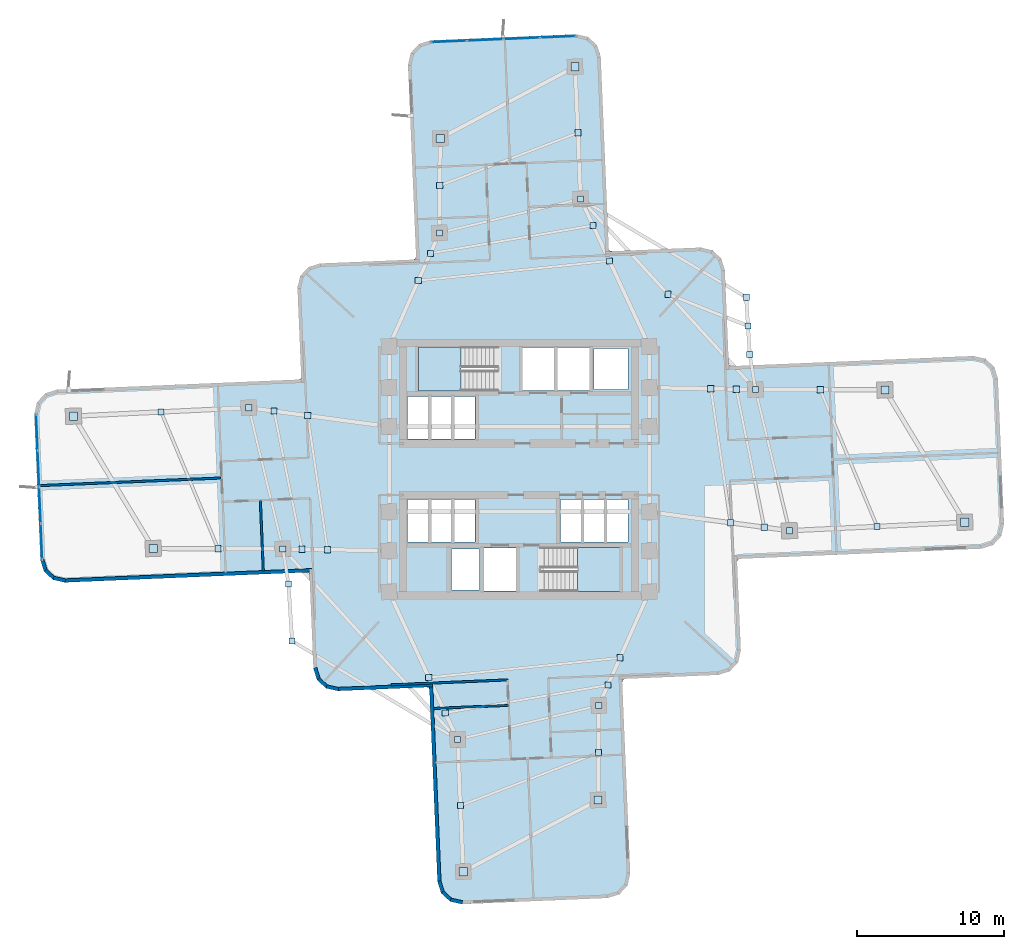
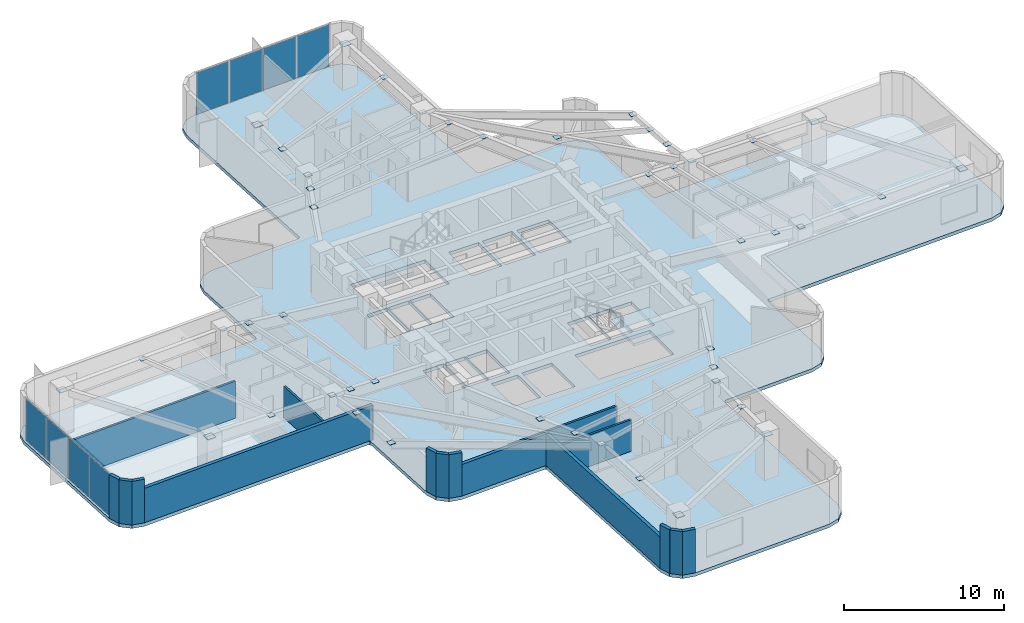
# One storey, part 7 of 15: 54 plates, 16 walls, 3 slabs, 4 elements without a shape of their own.
"""IFC4 building model written with IfcOpenShell, lengths in metres."""

from ifc_helpers import new_model, si_unit, direction, frame, frame_2d, origin, origin_2d, place, context, subcontext, project, spatial, polyline, rectangle, outline, extrude, material, layer, layer_set, type_object, element, aggregate, save


model = new_model("IFC4")

# Units and contexts
model_context = context("Model", 3, precision=1e-05, world=origin(), true_north=direction((0.0, 1.0)))
body_context = subcontext(model_context, "Body", "Model", "MODEL_VIEW")
ifc_project = project(units=[si_unit("LENGTHUNIT", "METRE"), si_unit("AREAUNIT", "SQUARE_METRE"), si_unit("VOLUMEUNIT", "CUBIC_METRE"), si_unit("PLANEANGLEUNIT", "RADIAN"), si_unit("MASSUNIT", "GRAM", prefix="KILO")], contexts=[model_context])

# Site, building, storey
site_placement = place(None, origin())
site = spatial("IfcSite", under=ifc_project, at=site_placement, CompositionType="ELEMENT")
building_placement = place(site_placement, origin())
building = spatial("IfcBuilding", under=site, at=building_placement, Name="Solmarez Civic Tower", CompositionType="ELEMENT")
storey_placement = place(building_placement, frame((0.0, 0.0, 46.080078125)))
storey = spatial("IfcBuildingStorey", under=building, at=storey_placement, Name="L11", CompositionType="ELEMENT", Elevation=46.080078125)

# Curtain wall, plates
ifc_material_1 = material(Name="Bronze Anodised Aluminium EN AW-6063 T6", Category="aluminium")
ifc_layer_1 = layer(ifc_material_1, 0.18505859375)
ifc_layer_set_1 = layer_set([ifc_layer_1], Name="Bronze Anodised Aluminium EN AW-6063 T6")
curtain_wall_type = type_object("IfcCurtainWallType", Name="CW-SYS-2", PredefinedType="NOTDEFINED", material=ifc_layer_set_1)
curtain_wall_1_placement = place(storey_placement, origin())
curtain_wall_1 = element("IfcCurtainWall", 1, at=curtain_wall_1_placement, inside=storey, type_object=curtain_wall_type, Name="L11 Stick-Built Curtain Wall 1", PredefinedType="NOTDEFINED")
ifc_material_2 = material(Name="Solar Control Low-E Laminated Vision Glass", Category="glass")
ifc_layer_2 = layer(ifc_material_2, 0.031982421875)
ifc_layer_set_2 = layer_set([ifc_layer_2], Name="Solar Control Low-E Laminated Vision Glass")
plate_type_1 = type_object("IfcPlateType", Name="CWP-GLAZ-32", PredefinedType="CURTAIN_PANEL", material=ifc_layer_set_2)
plate_1_placement = place(storey_placement, frame((-32.502685546875, -4.915283203125, 0.06494140625), z_axis=(0.0, 0.0, 1.0), x_axis=(-0.041856538832, 0.999123631067, 0.0)))
plate_1 = element("IfcPlate", 2, at=plate_1_placement, type_object=plate_type_1, Name="CWS2 panel 1.1", PredefinedType="CURTAIN_PANEL", context=body_context, shape_type="SweptSolid", body=[
    extrude(rectangle(XDim=2.379638671875, YDim=0.031982421875, at=origin_2d()), origin(), (0.0, 0.0, 1.0), 3.18994140625),
])
plate_2_placement = place(storey_placement, frame((-32.60595703125, -2.4501953125, 0.06494140625), z_axis=(0.0, 0.0, 1.0), x_axis=(-0.041856538832, 0.999123631067, 0.0)))
plate_2 = element("IfcPlate", 3, at=plate_2_placement, type_object=plate_type_1, Name="CWS2 panel 2.1", PredefinedType="CURTAIN_PANEL", context=body_context, shape_type="SweptSolid", body=[
    extrude(rectangle(XDim=2.414794921875, YDim=0.031982421875, at=origin_2d()), origin(), (0.0, 0.0, 1.0), 3.18994140625),
])
plate_3_placement = place(storey_placement, frame((-32.7099609375, 0.0322265625, 0.06494140625), z_axis=(0.0, 0.0, 1.0), x_axis=(-0.041856538832, 0.999123631067, 0.0)))
plate_3 = element("IfcPlate", 4, at=plate_3_placement, type_object=plate_type_1, Name="CWS2 panel 3.1", PredefinedType="CURTAIN_PANEL", context=body_context, shape_type="SweptSolid", body=[
    extrude(rectangle(XDim=2.414794921875, YDim=0.031982421875, at=origin_2d()), origin(), (0.0, 0.0, 1.0), 3.18994140625),
])
plate_4_placement = place(storey_placement, frame((-32.813232421875, 2.497314453125, 0.06494140625), z_axis=(0.0, 0.0, 1.0), x_axis=(-0.041856538832, 0.999123631067, 0.0)))
plate_4 = element("IfcPlate", 5, at=plate_4_placement, type_object=plate_type_1, Name="CWS2 panel 4.1", PredefinedType="CURTAIN_PANEL", context=body_context, shape_type="SweptSolid", body=[
    extrude(rectangle(XDim=2.379638671875, YDim=0.031982421875, at=origin_2d()), origin(), (0.0, 0.0, 1.0), 3.18994140625),
])
aggregate(curtain_wall_1, [plate_1, plate_2, plate_3, plate_4])

curtain_wall_2_placement = place(storey_placement, origin())
curtain_wall_2 = element("IfcCurtainWall", 6, at=curtain_wall_2_placement, inside=storey, type_object=curtain_wall_type, Name="L11 Stick-Built Curtain Wall 2", PredefinedType="NOTDEFINED")
plate_5_placement = place(storey_placement, frame((-4.772216796875, 29.105712890625, 0.06494140625), z_axis=(0.0, 0.0, 1.0), x_axis=(0.999123631067, 0.041856538832, 0.0)))
plate_5 = element("IfcPlate", 7, at=plate_5_placement, type_object=plate_type_1, Name="CWS2 panel 1.1", PredefinedType="CURTAIN_PANEL", context=body_context, shape_type="SweptSolid", body=[
    extrude(rectangle(XDim=2.379638671875, YDim=0.031982421875, at=origin_2d()), origin(), (0.0, 0.0, 1.0), 3.18994140625),
])
plate_6_placement = place(storey_placement, frame((-2.30712890625, 29.208984375, 0.06494140625), z_axis=(0.0, 0.0, 1.0), x_axis=(0.999123631067, 0.041856538832, 0.0)))
plate_6 = element("IfcPlate", 8, at=plate_6_placement, type_object=plate_type_1, Name="CWS2 panel 2.1", PredefinedType="CURTAIN_PANEL", context=body_context, shape_type="SweptSolid", body=[
    extrude(rectangle(XDim=2.414794921875, YDim=0.031982421875, at=origin_2d()), origin(), (0.0, 0.0, 1.0), 3.18994140625),
])
plate_7_placement = place(storey_placement, frame((0.17529296875, 29.31298828125, 0.06494140625), z_axis=(0.0, 0.0, 1.0), x_axis=(0.999123631067, 0.041856538832, 0.0)))
plate_7 = element("IfcPlate", 9, at=plate_7_placement, type_object=plate_type_1, Name="CWS2 panel 3.1", PredefinedType="CURTAIN_PANEL", context=body_context, shape_type="SweptSolid", body=[
    extrude(rectangle(XDim=2.414794921875, YDim=0.031982421875, at=origin_2d()), origin(), (0.0, 0.0, 1.0), 3.18994140625),
])
plate_8_placement = place(storey_placement, frame((2.640380859375, 29.416259765625, 0.06494140625), z_axis=(0.0, 0.0, 1.0), x_axis=(0.999123631067, 0.041856538832, 0.0)))
plate_8 = element("IfcPlate", 10, at=plate_8_placement, type_object=plate_type_1, Name="CWS2 panel 4.1", PredefinedType="CURTAIN_PANEL", context=body_context, shape_type="SweptSolid", body=[
    extrude(rectangle(XDim=2.379638671875, YDim=0.031982421875, at=origin_2d()), origin(), (0.0, 0.0, 1.0), 3.18994140625),
])
aggregate(curtain_wall_2, [plate_5, plate_6, plate_7, plate_8])

# Plates
ifc_material_3 = material(Name="Steel S355", Category="steel")
ifc_layer_3 = layer(ifc_material_3, 0.02392578125)
ifc_layer_set_3 = layer_set([ifc_layer_3], Name="Steel S355")
plate_type_2 = type_object("IfcPlateType", Name="PLT-CAP-380", PredefinedType="USERDEFINED", material=ifc_layer_set_3)
for number, where, z_axis, x_axis, name in (
    (11, (18.39111328125, -4.18408203125, 3.157958984375), (0.0, 0.0, 1.0), (1.0, 0.0, 0.0), "Steel Member End Cap Plate CAP-BM-L11-EA-T1-0"),
    (12, (16.075927734375, 5.4208984375, 3.157958984375), (0.0, 0.0, 1.0), (1.0, 0.0, 0.0), "Steel Member End Cap Plate CAP-BM-L11-EA-T1-1"),
    (13, (24.35498046875, -3.89697265625, 3.157958984375), (0.0, 0.0, 1.0), (1.0, 0.0, 0.0), "Steel Member End Cap Plate CAP-JS-L11-EA-M2-0"),
    (14, (20.48193359375, 5.406982421875, 3.157958984375), (0.0, 0.0, 1.0), (1.0, 0.0, 0.0), "Steel Member End Cap Plate CAP-JS-L11-EA-M2-1"),
    (15, (14.384033203125, -3.64501953125, 3.157958984375), (0.0, 0.0, 1.0), (1.0, 0.0, 0.0), "Steel Member End Cap Plate CAP-JS-L11-EA-M11-0"),
    (16, (13.041015625, 5.47509765625, 3.157958984375), (0.0, 0.0, 1.0), (1.0, 0.0, 0.0), "Steel Member End Cap Plate CAP-JS-L11-EA-M11-1"),
    (17, (16.674072265625, -3.952880859375, 3.157958984375), (0.0, 0.0, 1.0), (1.0, 0.0, 0.0), "Steel Member End Cap Plate CAP-JS-L11-EA-M12-0"),
    (18, (14.77490234375, 5.444091796875, 3.157958984375), (0.0, 0.0, 1.0), (1.0, 0.0, 0.0), "Steel Member End Cap Plate CAP-JS-L11-EA-M12-1"),
    (19, (4.18408203125, 18.39111328125, 3.157958984375), (0.0, 0.0, 1.0), (1.0, 0.0, 0.0), "Steel Member End Cap Plate CAP-BM-L11-NA-T1-0"),
    (20, (-5.4208984375, 16.075927734375, 3.157958984375), (0.0, 0.0, 1.0), (1.0, 0.0, 0.0), "Steel Member End Cap Plate CAP-BM-L11-NA-T1-1"),
    (21, (3.9951171875, 22.886962890625, 3.157958984375), (0.0, 0.0, 1.0), (1.0, 0.0, 0.0), "Steel Member End Cap Plate CAP-JS-L11-NA-M2-0"),
    (22, (-5.39599609375, 19.291015625, 3.157958984375), (0.0, 0.0, 1.0), (1.0, 0.0, 0.0), "Steel Member End Cap Plate CAP-JS-L11-NA-M2-1"),
    (23, (6.14404296875, 14.174072265625, 3.157958984375), (0.0, 0.0, 1.0), (1.0, 0.0, 0.0), "Steel Member End Cap Plate CAP-JS-L11-NA-M11-0"),
    (24, (-6.861083984375, 12.8310546875, 3.157958984375), (0.0, 0.0, 1.0), (1.0, 0.0, 0.0), "Steel Member End Cap Plate CAP-JS-L11-NA-M11-1"),
    (25, (5.02392578125, 16.583984375, 3.157958984375), (0.0, 0.0, 1.0), (1.0, 0.0, 0.0), "Steel Member End Cap Plate CAP-JS-L11-NA-M12-0"),
    (26, (-6.0380859375, 14.68505859375, 3.157958984375), (0.0, 0.0, 1.0), (1.0, 0.0, 0.0), "Steel Member End Cap Plate CAP-JS-L11-NA-M12-1"),
    (27, (-18.39111328125, 4.18408203125, 3.157958984375), (0.0, 0.0, 1.0), (1.0, 0.0, 0.0), "Steel Member End Cap Plate CAP-BM-L11-WA-T1-0"),
    (28, (-16.075927734375, -5.4208984375, 3.157958984375), (0.0, 0.0, 1.0), (1.0, 0.0, 0.0), "Steel Member End Cap Plate CAP-BM-L11-WA-T1-1"),
    (29, (-24.35498046875, 3.89697265625, 3.157958984375), (0.0, 0.0, 1.0), (1.0, 0.0, 0.0), "Steel Member End Cap Plate CAP-JS-L11-WA-M2-0"),
    (30, (-20.48193359375, -5.406982421875, 3.157958984375), (0.0, 0.0, 1.0), (1.0, 0.0, 0.0), "Steel Member End Cap Plate CAP-JS-L11-WA-M2-1"),
    (31, (-14.384033203125, 3.64501953125, 3.157958984375), (0.0, 0.0, 1.0), (1.0, 0.0, 0.0), "Steel Member End Cap Plate CAP-JS-L11-WA-M11-0"),
    (32, (-13.041015625, -5.47509765625, 3.157958984375), (0.0, 0.0, 1.0), (1.0, 0.0, 0.0), "Steel Member End Cap Plate CAP-JS-L11-WA-M11-1"),
    (33, (-16.674072265625, 3.952880859375, 3.157958984375), (0.0, 0.0, 1.0), (1.0, 0.0, 0.0), "Steel Member End Cap Plate CAP-JS-L11-WA-M12-0"),
    (34, (-14.77490234375, -5.444091796875, 3.157958984375), (0.0, 0.0, 1.0), (1.0, 0.0, 0.0), "Steel Member End Cap Plate CAP-JS-L11-WA-M12-1"),
    (35, (-4.18408203125, -18.39111328125, 3.157958984375), (0.0, 0.0, 1.0), (1.0, 0.0, 0.0), "Steel Member End Cap Plate CAP-BM-L11-SA-T1-0"),
    (36, (5.4208984375, -16.075927734375, 3.157958984375), (0.0, 0.0, 1.0), (1.0, 0.0, 0.0), "Steel Member End Cap Plate CAP-BM-L11-SA-T1-1"),
    (37, (-3.9951171875, -22.886962890625, 3.157958984375), (0.0, 0.0, 1.0), (1.0, 0.0, 0.0), "Steel Member End Cap Plate CAP-JS-L11-SA-M2-0"),
    (38, (5.39599609375, -19.291015625, 3.157958984375), (0.0, 0.0, 1.0), (1.0, 0.0, 0.0), "Steel Member End Cap Plate CAP-JS-L11-SA-M2-1"),
    (39, (-6.14404296875, -14.174072265625, 3.157958984375), (0.0, 0.0, 1.0), (1.0, 0.0, 0.0), "Steel Member End Cap Plate CAP-JS-L11-SA-M11-0"),
    (40, (6.861083984375, -12.8310546875, 3.157958984375), (0.0, 0.0, 1.0), (1.0, 0.0, 0.0), "Steel Member End Cap Plate CAP-JS-L11-SA-M11-1"),
    (41, (-5.02392578125, -16.583984375, 3.157958984375), (0.0, 0.0, 1.0), (1.0, 0.0, 0.0), "Steel Member End Cap Plate CAP-JS-L11-SA-M12-0"),
    (42, (6.0380859375, -14.68505859375, 3.157958984375), (0.0, 0.0, 1.0), (1.0, 0.0, 0.0), "Steel Member End Cap Plate CAP-JS-L11-SA-M12-1"),
    (43, (15.69091796875, 7.801025390625, 3.10791015625), (0.0, 0.0, 1.0), (1.0, 0.0, 0.0), "Steel Member End Cap Plate CAP-BM-L11-BALC-NEE-0"),
    (44, (15.446044921875, 11.693115234375, 3.10791015625), (0.0, 0.0, 1.0), (1.0, 0.0, 0.0), "Steel Member End Cap Plate CAP-BM-L11-BALC-NEE-1"),
    (45, (10.1298828125, 11.906005859375, 3.10791015625), (0.0, 0.0, 1.0), (1.0, 0.0, 0.0), "Steel Member End Cap Plate CAP-BM-L11-BALC-NEM-0"),
    (46, (15.569091796875, 9.7470703125, 3.10791015625), (0.0, 0.0, 1.0), (1.0, 0.0, 0.0), "Steel Member End Cap Plate CAP-BM-L11-BALC-NEM-1"),
    (47, (-15.69091796875, -7.801025390625, 3.10791015625), (0.0, 0.0, 1.0), (1.0, 0.0, 0.0), "Steel Member End Cap Plate CAP-BM-L11-BALC-SWE-0"),
    (48, (-15.446044921875, -11.693115234375, 3.10791015625), (0.0, 0.0, 1.0), (1.0, 0.0, 0.0), "Steel Member End Cap Plate CAP-BM-L11-BALC-SWE-1"),
):
    element("IfcPlate", number, at=place(storey_placement, frame(where, z_axis=z_axis, x_axis=x_axis)), inside=storey, type_object=plate_type_2, Name=name, ObjectType="CAP_PLATE", PredefinedType="USERDEFINED", context=body_context, shape_type="SweptSolid", body=[
        extrude(rectangle(XDim=0.419921875, YDim=0.419921875, at=origin_2d()), origin(), (0.0, 0.0, 1.0), 0.02392578125),
    ])
ifc_layer_4 = layer(ifc_material_3, 0.028076171875)
ifc_layer_set_4 = layer_set([ifc_layer_4], Name="Steel S355")
plate_type_3 = type_object("IfcPlateType", Name="PLT-CAP-540", PredefinedType="USERDEFINED", material=ifc_layer_set_4)
for number, where, z_axis, x_axis, name in (
    (49, (30.318115234375, -3.60888671875, 3.0556640625), (0.0, 0.0, 1.0), (1.0, 0.0, 0.0), "Steel Member End Cap Plate CAP-BM-L11-EA-T2-0"),
    (50, (24.887939453125, 5.39306640625, 3.0556640625), (0.0, 0.0, 1.0), (1.0, 0.0, 0.0), "Steel Member End Cap Plate CAP-BM-L11-EA-T2-1"),
    (51, (3.806884765625, 27.383056640625, 3.0556640625), (0.0, 0.0, 1.0), (1.0, 0.0, 0.0), "Steel Member End Cap Plate CAP-BM-L11-NA-T2-0"),
    (52, (-5.3720703125, 22.507080078125, 3.0556640625), (0.0, 0.0, 1.0), (1.0, 0.0, 0.0), "Steel Member End Cap Plate CAP-BM-L11-NA-T2-1"),
    (53, (-30.318115234375, 3.60888671875, 3.0556640625), (0.0, 0.0, 1.0), (1.0, 0.0, 0.0), "Steel Member End Cap Plate CAP-BM-L11-WA-T2-0"),
    (54, (-24.887939453125, -5.39306640625, 3.0556640625), (0.0, 0.0, 1.0), (1.0, 0.0, 0.0), "Steel Member End Cap Plate CAP-BM-L11-WA-T2-1"),
    (55, (-3.806884765625, -27.383056640625, 3.0556640625), (0.0, 0.0, 1.0), (1.0, 0.0, 0.0), "Steel Member End Cap Plate CAP-BM-L11-SA-T2-0"),
    (56, (5.3720703125, -22.507080078125, 3.0556640625), (0.0, 0.0, 1.0), (1.0, 0.0, 0.0), "Steel Member End Cap Plate CAP-BM-L11-SA-T2-1"),
):
    element("IfcPlate", number, at=place(storey_placement, frame(where, z_axis=z_axis, x_axis=x_axis)), inside=storey, type_object=plate_type_3, Name=name, ObjectType="CAP_PLATE", PredefinedType="USERDEFINED", context=body_context, shape_type="SweptSolid", body=[
        extrude(rectangle(XDim=0.56005859375, YDim=0.56005859375, at=origin_2d()), origin(), (0.0, 0.0, 1.0), 0.028076171875),
    ])

# Stair, slab
ifc_material_4 = material(Name="Concrete C50/60", Category="concrete")
stair_type = type_object("IfcStairType", Name="STAIR-DOGLEG-140W-20R-1800", PredefinedType="HALF_TURN_STAIR", material=ifc_material_4)
stair_1_placement = place(storey_placement, origin())
stair_1 = element("IfcStair", 57, at=stair_1_placement, inside=storey, type_object=stair_type, Name="L11 North Core Protected Exit Stair ST-1", PredefinedType="HALF_TURN_STAIR")
ifc_layer_5 = layer(ifc_material_4, 0.199951171875)
ifc_layer_set_5 = layer_set([ifc_layer_5], Name="Concrete C50/60")
slab_type_1 = type_object("IfcSlabType", Name="SLAB-LANDING-200", PredefinedType="LANDING", material=ifc_layer_set_5)
slab_1_placement = place(storey_placement, frame((0.0, 0.0, 1.599853515625)))
slab_1 = element("IfcSlab", 58, at=slab_1_placement, type_object=slab_type_1, Name="ST-1 landing 1", PredefinedType="LANDING", context=body_context, shape_type="SweptSolid", body=[
    extrude(outline(polyline([(-3.969970703125, 8.320068359375), (-6.85009765625, 8.320068359375), (-6.85009765625, 5.320068359375), (-3.969970703125, 5.320068359375), (-3.969970703125, 8.320068359375)])), origin(), (0.0, 0.0, 1.0), 0.199951171875),
])
aggregate(stair_1, [slab_1])

stair_2_placement = place(storey_placement, origin())
stair_2 = element("IfcStair", 59, at=stair_2_placement, inside=storey, type_object=stair_type, Name="L11 South Core Protected Exit Stair ST-2", PredefinedType="HALF_TURN_STAIR")
slab_2_placement = place(storey_placement, frame((0.0, 0.0, 1.599853515625)))
slab_2 = element("IfcSlab", 60, at=slab_2_placement, type_object=slab_type_1, Name="ST-2 landing 1", PredefinedType="LANDING", context=body_context, shape_type="SweptSolid", body=[
    extrude(outline(polyline([(3.969970703125, -8.320068359375), (6.85009765625, -8.320068359375), (6.85009765625, -5.320068359375), (3.969970703125, -5.320068359375), (3.969970703125, -8.320068359375)])), origin(), (0.0, 0.0, 1.0), 0.199951171875),
])
aggregate(stair_2, [slab_2])

# Slab
ifc_layer_6 = layer(ifc_material_4, 0.260009765625)
ifc_layer_set_6 = layer_set([ifc_layer_6], Name="Concrete C50/60")
slab_type_2 = type_object("IfcSlabType", Name="SLAB-TOWER-260", PredefinedType="FLOOR", material=ifc_layer_set_6)
slab_3_placement = place(storey_placement, frame((0.0, 0.0, -0.260009765625)))
element("IfcSlab", 61, at=slab_3_placement, inside=storey, type_object=slab_type_2, Name="L11 Structural Slab", PredefinedType="FLOOR", context=body_context, shape_type="SweptSolid", body=[
    extrude(outline(polyline([(-14.260009765625, -7.214111328125), (-13.9951171875, -13.548095703125), (-13.7470703125, -14.337890625), (-13.137939453125, -14.89892578125), (-12.3291015625, -15.080078125), (-6.31494140625, -14.826904296875), (-6.14697265625, -14.864990234375), (-6.095947265625, -15.029052734375), (-5.550048828125, -28.056884765625), (-5.302001953125, -28.846923828125), (-4.693115234375, -29.407958984375), (-3.884033203125, -29.589111328125), (6.027099609375, -29.173095703125), (6.81689453125, -28.926025390625), (7.3779296875, -28.31591796875), (7.55908203125, -27.508056640625), (7.011962890625, -14.47998046875), (7.050048828125, -14.31201171875), (7.214111328125, -14.260009765625), (13.548095703125, -13.9951171875), (14.337890625, -13.7470703125), (14.89892578125, -13.137939453125), (15.080078125, -12.3291015625), (14.826904296875, -6.31494140625), (14.864990234375, -6.14697265625), (15.029052734375, -6.095947265625), (31.4541015625, -5.407958984375), (32.243896484375, -5.159912109375), (32.804931640625, -4.550048828125), (32.986083984375, -3.741943359375), (32.570068359375, 6.1689453125), (32.322998046875, 6.9599609375), (31.712890625, 7.52001953125), (30.905029296875, 7.700927734375), (14.47998046875, 7.011962890625), (14.31201171875, 7.050048828125), (14.260009765625, 7.214111328125), (13.9951171875, 13.548095703125), (13.7470703125, 14.337890625), (13.137939453125, 14.89892578125), (12.3291015625, 15.080078125), (6.31494140625, 14.826904296875), (6.14697265625, 14.864990234375), (6.095947265625, 15.029052734375), (5.550048828125, 28.056884765625), (5.302001953125, 28.846923828125), (4.693115234375, 29.407958984375), (3.884033203125, 29.589111328125), (-6.027099609375, 29.173095703125), (-6.81689453125, 28.926025390625), (-7.3779296875, 28.31591796875), (-7.55908203125, 27.508056640625), (-7.011962890625, 14.47998046875), (-7.050048828125, 14.31201171875), (-7.214111328125, 14.260009765625), (-13.548095703125, 13.9951171875), (-14.337890625, 13.7470703125), (-14.89892578125, 13.137939453125), (-15.080078125, 12.3291015625), (-14.826904296875, 6.31494140625), (-14.864990234375, 6.14697265625), (-15.029052734375, 6.095947265625), (-31.4541015625, 5.407958984375), (-32.243896484375, 5.159912109375), (-32.804931640625, 4.550048828125), (-32.986083984375, 3.741943359375), (-32.570068359375, -6.1689453125), (-32.322998046875, -6.9599609375), (-31.712890625, -7.52001953125), (-30.905029296875, -7.700927734375), (-14.47998046875, -7.011962890625), (-14.31201171875, -7.050048828125), (-14.260009765625, -7.214111328125)]), holes=[polyline([(-1.449951171875, 8.320068359375), (-6.85009765625, 8.320068359375), (-6.85009765625, 5.320068359375), (-1.449951171875, 5.320068359375), (-1.449951171875, 8.320068359375)]), polyline([(1.449951171875, -8.320068359375), (6.85009765625, -8.320068359375), (6.85009765625, -5.320068359375), (1.449951171875, -5.320068359375), (1.449951171875, -8.320068359375)]), polyline([(0.219970703125, 5.360107421875), (2.3798828125, 5.360107421875), (2.3798828125, 8.280029296875), (0.219970703125, 8.280029296875), (0.219970703125, 5.360107421875)]), polyline([(2.6201171875, 5.360107421875), (4.780029296875, 5.360107421875), (4.780029296875, 8.280029296875), (2.6201171875, 8.280029296875), (2.6201171875, 5.360107421875)]), polyline([(-2.3798828125, -8.280029296875), (-0.219970703125, -8.280029296875), (-0.219970703125, -5.360107421875), (-2.3798828125, -5.360107421875), (-2.3798828125, -8.280029296875)]), polyline([(2.800048828125, -4.9599609375), (4.280029296875, -4.9599609375), (4.280029296875, -2.06005859375), (2.800048828125, -2.06005859375), (2.800048828125, -4.9599609375)]), polyline([(4.360107421875, -4.9599609375), (5.840087890625, -4.9599609375), (5.840087890625, -2.06005859375), (4.360107421875, -2.06005859375), (4.360107421875, -4.9599609375)]), polyline([(5.919921875, -4.9599609375), (7.39990234375, -4.9599609375), (7.39990234375, -2.06005859375), (5.919921875, -2.06005859375), (5.919921875, -4.9599609375)]), polyline([(-7.60009765625, -4.9599609375), (-6.1201171875, -4.9599609375), (-6.1201171875, -2.06005859375), (-7.60009765625, -2.06005859375), (-7.60009765625, -4.9599609375)]), polyline([(-6.0400390625, -4.9599609375), (-4.56005859375, -4.9599609375), (-4.56005859375, -2.06005859375), (-6.0400390625, -2.06005859375), (-6.0400390625, -4.9599609375)]), polyline([(-4.47998046875, -4.9599609375), (-3.0, -4.9599609375), (-3.0, -2.06005859375), (-4.47998046875, -2.06005859375), (-4.47998046875, -4.9599609375)]), polyline([(-7.60009765625, 2.06005859375), (-6.1201171875, 2.06005859375), (-6.1201171875, 4.9599609375), (-7.60009765625, 4.9599609375), (-7.60009765625, 2.06005859375)]), polyline([(-6.0400390625, 2.06005859375), (-4.56005859375, 2.06005859375), (-4.56005859375, 4.9599609375), (-6.0400390625, 4.9599609375), (-6.0400390625, 2.06005859375)]), polyline([(-4.47998046875, 2.06005859375), (-3.0, 2.06005859375), (-3.0, 4.9599609375), (-4.47998046875, 4.9599609375), (-4.47998046875, 2.06005859375)]), polyline([(5.10009765625, 5.419921875), (7.39990234375, 5.419921875), (7.39990234375, 8.219970703125), (5.10009765625, 8.219970703125), (5.10009765625, 5.419921875)]), polyline([(-4.60009765625, -8.219970703125), (-2.699951171875, -8.219970703125), (-2.699951171875, -5.419921875), (-4.60009765625, -5.419921875), (-4.60009765625, -8.219970703125)])]), origin(), (0.0, 0.0, 1.0), 0.260009765625),
])

# Walls
ifc_material_5 = material(Name="Precast concrete C40/50", Category="concrete")
ifc_layer_7 = layer(ifc_material_5, 0.239990234375)
ifc_layer_set_7 = layer_set([ifc_layer_7], Name="Precast concrete C40/50")
wall_type_1 = type_object("IfcWallType", Name="WALL-EXT-240", PredefinedType="SOLIDWALL", material=ifc_layer_set_7)
wall_1_placement = place(storey_placement, frame((-14.05810546875, -6.875, 0.0), z_axis=(0.0, 0.0, 1.0), x_axis=(-0.999124376175, -0.04183874918, 0.0)))
element("IfcWall", 62, at=wall_1_placement, inside=storey, type_object=wall_type_1, Name="L11 Exterior Precast Wall 2", PredefinedType="SOLIDWALL", context=body_context, shape_type="SweptSolid", body=[
    extrude(rectangle(XDim=16.875732421875, YDim=0.239990234375, at=frame_2d((8.43798828125, 0.0))), origin(), (0.0, 0.0, 1.0), 2.6240234375),
])
wall_2_placement = place(storey_placement, frame((-30.8701171875, -7.5849609375, 0.0), z_axis=(0.0, 0.0, 1.0), x_axis=(-0.976138507006, 0.217148831773, 0.0)))
element("IfcWall", 63, at=wall_2_placement, inside=storey, type_object=wall_type_1, Name="L11 Exterior Precast Wall 3", PredefinedType="SOLIDWALL", context=body_context, shape_type="SweptSolid", body=[
    extrude(rectangle(XDim=0.82861328125, YDim=0.239990234375, at=frame_2d((0.414306640625, 0.0))), origin(), (0.0, 0.0, 1.0), 3.31982421875),
])
wall_3_placement = place(storey_placement, frame((-31.636962890625, -7.427001953125, 0.0), z_axis=(0.0, 0.0, 1.0), x_axis=(-0.73603262681, 0.676946063044, 0.0)))
element("IfcWall", 64, at=wall_3_placement, inside=storey, type_object=wall_type_1, Name="L11 Exterior Precast Wall 4", PredefinedType="SOLIDWALL", context=body_context, shape_type="SweptSolid", body=[
    extrude(rectangle(XDim=0.81396484375, YDim=0.239990234375, at=frame_2d((0.406982421875, 0.0))), origin(), (0.0, 0.0, 1.0), 3.31982421875),
])
wall_4_placement = place(storey_placement, frame((-32.2109375, -6.9169921875, 0.0), z_axis=(0.0, 0.0, 1.0), x_axis=(-0.297805793488, 0.954626476359, 0.0)))
element("IfcWall", 65, at=wall_4_placement, inside=storey, type_object=wall_type_1, Name="L11 Exterior Precast Wall 5", PredefinedType="SOLIDWALL", context=body_context, shape_type="SweptSolid", body=[
    extrude(rectangle(XDim=0.82958984375, YDim=0.239990234375, at=frame_2d((0.414794921875, 0.0))), origin(), (0.0, 0.0, 1.0), 3.31982421875),
])
wall_5_placement = place(storey_placement, frame((-3.85009765625, -29.472900390625, 0.0), z_axis=(0.0, 0.0, 1.0), x_axis=(-0.976138507006, 0.217148831773, 0.0)))
element("IfcWall", 66, at=wall_5_placement, inside=storey, type_object=wall_type_1, Name="L11 Exterior Precast Wall 61", PredefinedType="SOLIDWALL", context=body_context, shape_type="SweptSolid", body=[
    extrude(rectangle(XDim=0.82861328125, YDim=0.239990234375, at=frame_2d((0.414306640625, 0.0))), origin(), (0.0, 0.0, 1.0), 3.31982421875),
])
wall_6_placement = place(storey_placement, frame((-4.616943359375, -29.31494140625, 0.0), z_axis=(0.0, 0.0, 1.0), x_axis=(-0.735482115769, 0.677544136853, 0.0)))
element("IfcWall", 67, at=wall_6_placement, inside=storey, type_object=wall_type_1, Name="L11 Exterior Precast Wall 62", PredefinedType="SOLIDWALL", context=body_context, shape_type="SweptSolid", body=[
    extrude(rectangle(XDim=0.813232421875, YDim=0.239990234375, at=frame_2d((0.40673828125, 0.0))), origin(), (0.0, 0.0, 1.0), 3.31982421875),
])
wall_7_placement = place(storey_placement, frame((-5.18994140625, -28.804931640625, 0.0), z_axis=(0.0, 0.0, 1.0), x_axis=(-0.298542680168, 0.954396284631, 0.0)))
element("IfcWall", 68, at=wall_7_placement, inside=storey, type_object=wall_type_1, Name="L11 Exterior Precast Wall 63", PredefinedType="SOLIDWALL", context=body_context, shape_type="SweptSolid", body=[
    extrude(rectangle(XDim=0.830810546875, YDim=0.239990234375, at=frame_2d((0.41552734375, 0.0))), origin(), (0.0, 0.0, 1.0), 3.31982421875),
])
wall_8_placement = place(storey_placement, frame((-5.429931640625, -28.06103515625, 0.0), z_axis=(0.0, 0.0, 1.0), x_axis=(-0.041852859621, 0.999123785195, 0.0)))
element("IfcWall", 69, at=wall_8_placement, inside=storey, type_object=wall_type_1, Name="L11 Exterior Precast Wall 64", PredefinedType="SOLIDWALL", context=body_context, shape_type="SweptSolid", body=[
    extrude(rectangle(XDim=13.474853515625, YDim=0.239990234375, at=frame_2d((6.7373046875, 0.0))), origin(), (0.0, 0.0, 1.0), 2.40087890625),
])
wall_9_placement = place(storey_placement, frame((-5.89404296875, -14.68994140625, 0.0), z_axis=(0.0, 0.0, 1.0), x_axis=(-0.999124860845, -0.041827173477, 0.0)))
element("IfcWall", 70, at=wall_9_placement, inside=storey, type_object=wall_type_1, Name="L11 Exterior Precast Wall 67", PredefinedType="SOLIDWALL", context=body_context, shape_type="SweptSolid", body=[
    extrude(rectangle(XDim=6.45556640625, YDim=0.239990234375, at=frame_2d((3.227783203125, 0.0))), origin(), (0.0, 0.0, 1.0), 2.40087890625),
])
wall_10_placement = place(storey_placement, frame((-12.294921875, -14.964111328125, 0.0), z_axis=(0.0, 0.0, 1.0), x_axis=(-0.976089939158, 0.21736704137, 0.0)))
element("IfcWall", 71, at=wall_10_placement, inside=storey, type_object=wall_type_1, Name="L11 Exterior Precast Wall 68", PredefinedType="SOLIDWALL", context=body_context, shape_type="SweptSolid", body=[
    extrude(rectangle(XDim=0.828857421875, YDim=0.239990234375, at=frame_2d((0.41455078125, 0.0))), origin(), (0.0, 0.0, 1.0), 3.31982421875),
])
wall_11_placement = place(storey_placement, frame((-13.06201171875, -14.805908203125, 0.0), z_axis=(0.0, 0.0, 1.0), x_axis=(-0.735344259965, 0.677693750404, 0.0)))
element("IfcWall", 72, at=wall_11_placement, inside=storey, type_object=wall_type_1, Name="L11 Exterior Precast Wall 69", PredefinedType="SOLIDWALL", context=body_context, shape_type="SweptSolid", body=[
    extrude(rectangle(XDim=0.81298828125, YDim=0.239990234375, at=frame_2d((0.406494140625, 0.0))), origin(), (0.0, 0.0, 1.0), 3.31982421875),
])
wall_12_placement = place(storey_placement, frame((-13.635009765625, -14.2958984375, 0.0), z_axis=(0.0, 0.0, 1.0), x_axis=(-0.298542680168, 0.954396284631, 0.0)))
element("IfcWall", 73, at=wall_12_placement, inside=storey, type_object=wall_type_1, Name="L11 Exterior Precast Wall 70", PredefinedType="SOLIDWALL", context=body_context, shape_type="SweptSolid", body=[
    extrude(rectangle(XDim=0.830810546875, YDim=0.239990234375, at=frame_2d((0.41552734375, 0.0))), origin(), (0.0, 0.0, 1.0), 3.31982421875),
])
ifc_material_6 = material(Name="Gypsum Board Acoustic Steel-Stud Partition", Category="steel")
ifc_layer_8 = layer(ifc_material_6, 0.14501953125)
ifc_layer_set_8 = layer_set([ifc_layer_8], Name="Gypsum Board Acoustic Steel-Stud Partition")
wall_type_2 = type_object("IfcWallType", Name="WALL-INT-PART-150", PredefinedType="PARTITIONING", material=ifc_layer_set_8)
wall_13_placement = place(storey_placement, frame((-17.60595703125, -2.138916015625, 0.0), z_axis=(0.0, 0.0, 1.0), x_axis=(0.041901609945, -0.999121741873, 0.0)))
element("IfcWall", 74, at=wall_13_placement, inside=storey, type_object=wall_type_2, Name="L11 Interior Partition PT-L11-W-LM", PredefinedType="PARTITIONING", context=body_context, shape_type="SweptSolid", body=[
    extrude(rectangle(XDim=4.795166015625, YDim=0.14501953125, at=frame_2d((2.3974609375, 0.0))), origin(), (0.0, 0.0, 1.0), 2.40087890625),
])
wall_14_placement = place(storey_placement, frame((-20.29296875, -0.60009765625, 0.0), z_axis=(0.0, 0.0, 1.0), x_axis=(-0.9991226833, -0.041879156098, 0.0)))
element("IfcWall", 75, at=wall_14_placement, inside=storey, type_object=wall_type_2, Name="L11 Interior Partition PT-L11-W-TM", PredefinedType="PARTITIONING", context=body_context, shape_type="SweptSolid", body=[
    extrude(rectangle(XDim=12.294677734375, YDim=0.14501953125, at=frame_2d((6.1474609375, 0.0))), origin(), (0.0, 0.0, 1.0), 2.81201171875),
])
wall_15_placement = place(storey_placement, frame((-8.714111328125, -14.66796875, 0.0), z_axis=(0.0, 0.0, 1.0), x_axis=(0.999122557945, 0.041882146625, 0.0)))
element("IfcWall", 76, at=wall_15_placement, inside=storey, type_object=wall_type_2, Name="L11 Interior Partition PT-L11-S-EFR", PredefinedType="PARTITIONING", context=body_context, shape_type="SweptSolid", body=[
    extrude(rectangle(XDim=7.951171875, YDim=0.14501953125, at=frame_2d((3.9755859375, 0.0))), origin(), (0.0, 0.0, 1.0), 2.40087890625),
])
wall_16_placement = place(storey_placement, frame((-5.837890625, -16.279052734375, 0.0), z_axis=(0.0, 0.0, 1.0), x_axis=(0.999123283233, 0.041864840869, 0.0)))
element("IfcWall", 77, at=wall_16_placement, inside=storey, type_object=wall_type_2, Name="L11 Interior Partition PT-L11-S-RM", PredefinedType="PARTITIONING", context=body_context, shape_type="SweptSolid", body=[
    extrude(rectangle(XDim=5.1142578125, YDim=0.14501953125, at=frame_2d((2.55712890625, 0.0))), origin(), (0.0, 0.0, 1.0), 2.40087890625),
])

save(model, "model.ifc")
